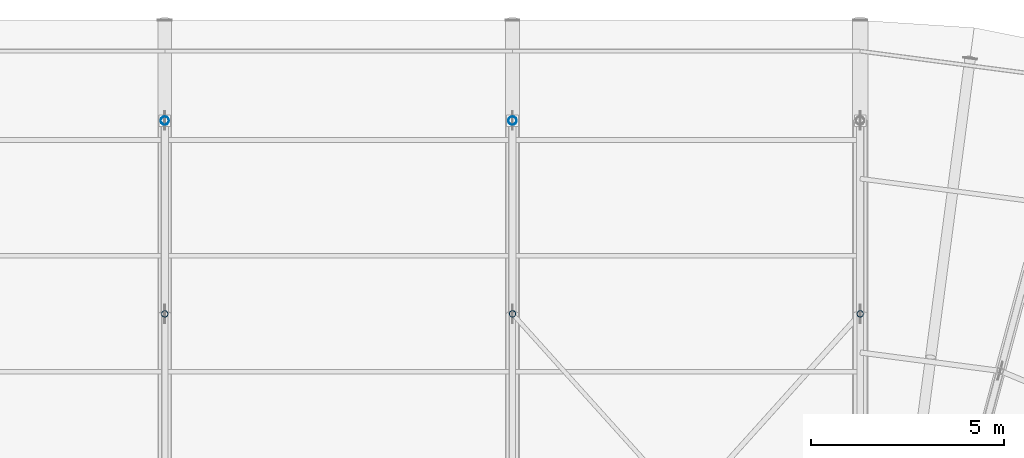
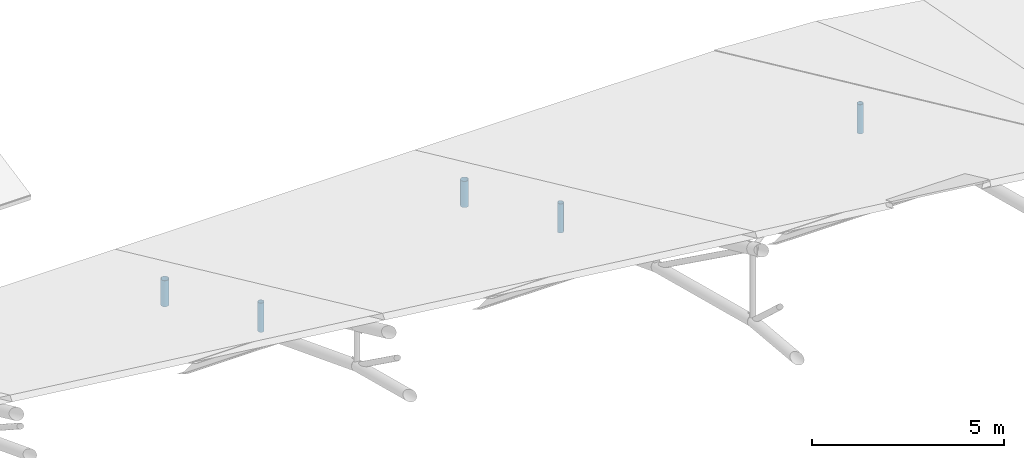
# One storey, part 79 of 107: 5 members.
"""IFC4 building model written with IfcOpenShell, lengths in metres."""

from ifc_helpers import new_model, si_unit, derived_unit, direction, frame, origin, origin_2d, place, context, subcontext, project, spatial, hollow_circle, extrude, material, material_profile, profile_set, type_object, element, save


model = new_model("IFC4")

# Units and contexts
model_context = context("Model", 3, precision=1e-05, world=origin(), true_north=direction((0.0, 1.0)))
body_context = subcontext(model_context, "Body", "Model", "MODEL_VIEW")
ifc_project = project(units=[si_unit("LENGTHUNIT", "METRE"), si_unit("AREAUNIT", "SQUARE_METRE"), si_unit("VOLUMEUNIT", "CUBIC_METRE"), si_unit("PLANEANGLEUNIT", "RADIAN"), si_unit("MASSUNIT", "GRAM", prefix="KILO"), si_unit("THERMODYNAMICTEMPERATUREUNIT", "KELVIN"), si_unit("TIMEUNIT", "SECOND"), derived_unit("THERMALTRANSMITTANCEUNIT", [(si_unit("MASSUNIT", "GRAM", prefix="KILO"), 1), (si_unit("THERMODYNAMICTEMPERATUREUNIT", "KELVIN"), -1), (si_unit("TIMEUNIT", "SECOND"), -3)])], contexts=[model_context])

# Site, building, storey
site_placement = place(None, origin())
site = spatial("IfcSite", under=ifc_project, at=site_placement, CompositionType="ELEMENT")
building_placement = place(site_placement, origin())
building = spatial("IfcBuilding", under=site, at=building_placement, Name="Cambertide Market Hall", CompositionType="ELEMENT")
storey_placement = place(building_placement, frame((0.0, 0.0, 18.300048828125)))
storey = spatial("IfcBuildingStorey", under=building, at=storey_placement, Name="RF", CompositionType="ELEMENT", Elevation=18.300048828125)

# Members
ifc_material_1 = material(Name="Steel S355", Category="steel")
ifc_material_profile_1 = material_profile(ifc_material_1, hollow_circle(Radius=0.084228515625, WallThickness=0.00634765625, at=origin_2d()), Name="CHS 168.3x6.3")
ifc_profile_set_1 = profile_set([ifc_material_profile_1], Name="Steel S355")
member_type_1 = type_object("IfcMemberType", Name="Structural Brace CHS 168.3x6.3", PredefinedType="BRACE", material=ifc_profile_set_1)
for number, where, z_axis, x_axis, name in (
    (1, (87.0, 87.0, -8.1767578125), (0.0, 0.0, 1.0), (1.0, 0.0, 0.0), "Roof Truss 6 Web Post 8"),
    (2, (96.0, 87.0, -8.1767578125), (0.0, 0.0, 1.0), (1.0, 0.0, 0.0), "Roof Truss 7 Web Post 8"),
    (3, (105.0, 87.0, -8.1767578125), (0.0, 0.0, 1.0), (1.0, 0.0, 0.0), "Roof Truss 8 Web Post 8"),
):
    element("IfcMember", number, at=place(storey_placement, frame(where, z_axis=z_axis, x_axis=x_axis)), inside=storey, type_object=member_type_1, Name=name, PredefinedType="BRACE", context=body_context, shape_type="SweptSolid", body=[
        extrude(hollow_circle(Radius=0.084228515625, WallThickness=0.00634765625, at=origin_2d()), origin(), (0.0, 0.0, 1.0), 0.9267578125),
    ])
ifc_material_2 = material(Name="Steel S355", Category="steel")
ifc_material_profile_2 = material_profile(ifc_material_2, hollow_circle(Radius=0.109619140625, WallThickness=0.008056640625, at=origin_2d()), Name="CHS 219.1x8")
ifc_profile_set_2 = profile_set([ifc_material_profile_2], Name="Steel S355")
member_type_2 = type_object("IfcMemberType", Name="Structural Brace CHS 219.1x8", PredefinedType="BRACE", material=ifc_profile_set_2)
for number, where, z_axis, x_axis, name in (
    (4, (87.0, 92.0, -10.380126953125), (0.0, 0.0, 1.0), (1.0, 0.0, 0.0), "Roof Truss 6 Web Post 9"),
    (5, (96.0, 92.0, -10.380126953125), (0.0, 0.0, 1.0), (1.0, 0.0, 0.0), "Roof Truss 7 Web Post 9"),
):
    element("IfcMember", number, at=place(storey_placement, frame(where, z_axis=z_axis, x_axis=x_axis)), inside=storey, type_object=member_type_2, Name=name, PredefinedType="BRACE", context=body_context, shape_type="SweptSolid", body=[
        extrude(hollow_circle(Radius=0.109619140625, WallThickness=0.008056640625, at=origin_2d()), origin(), (0.0, 0.0, 1.0), 0.830078125),
    ])

save(model, "model.ifc")
